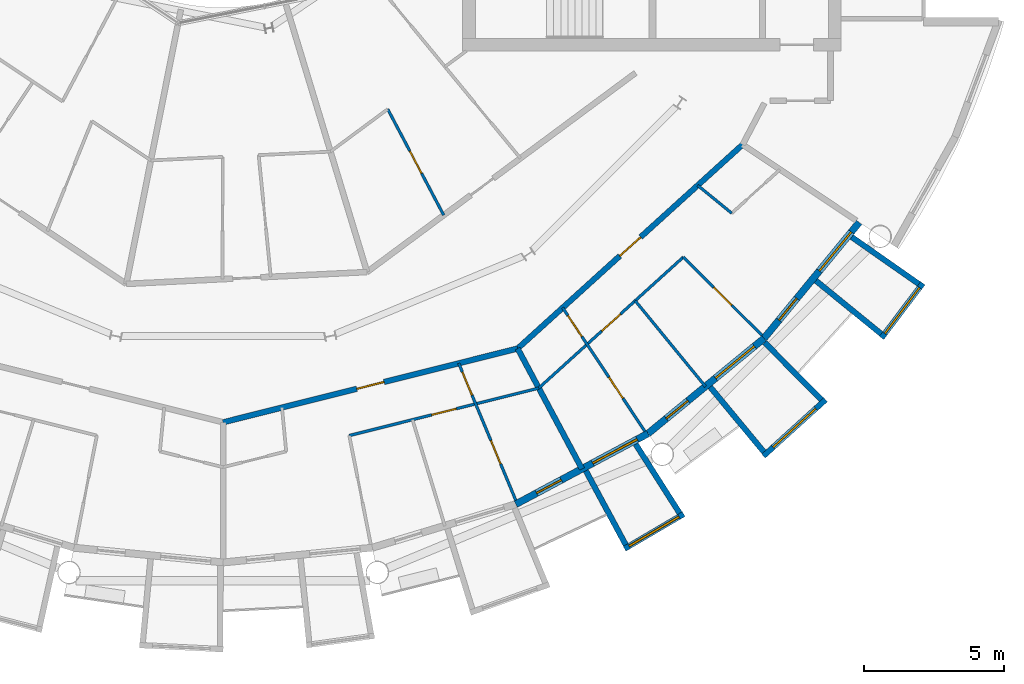
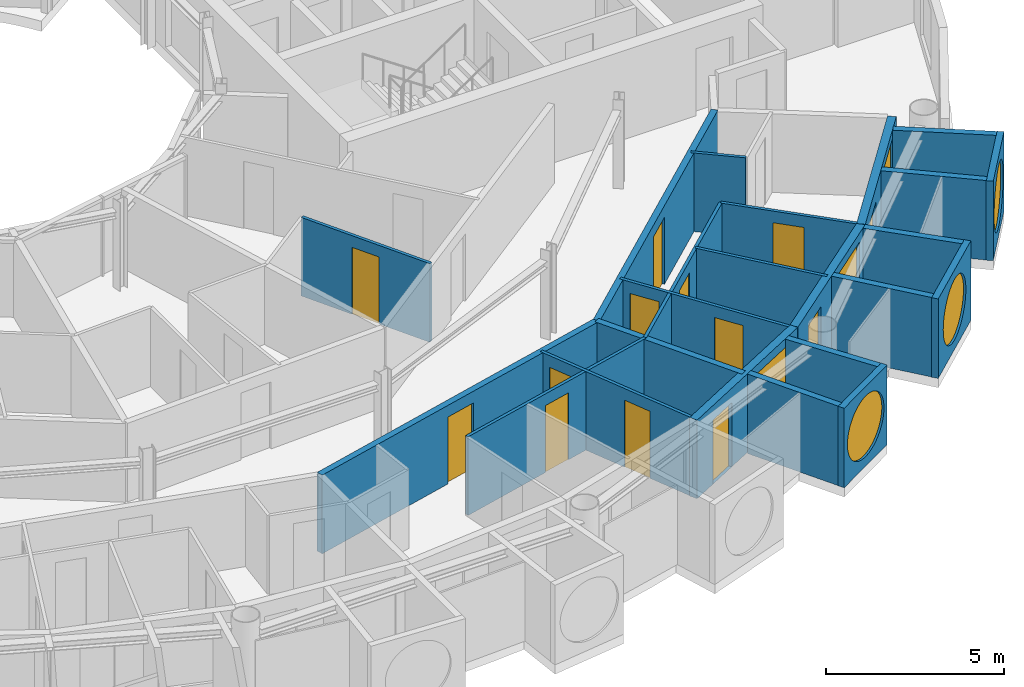
# One storey, part 18 of 29: 23 walls, 13 doors, 6 windows, 19 openings.
"""IFC4 building model written with IfcOpenShell, lengths in metres."""

from ifc_helpers import new_model, si_unit, direction, frame, frame_2d, origin, place, context, subcontext, project, spatial, rectangle, circle, extrude, material, layer, layer_set, type_object, element, fill, save


model = new_model("IFC4")

# Units and contexts
model_context = context("Model", 3, precision=1e-05, world=origin(), true_north=direction((0.0, 1.0)))
body_context = subcontext(model_context, "Body", "Model", "MODEL_VIEW")
ifc_project = project(units=[si_unit("LENGTHUNIT", "METRE"), si_unit("AREAUNIT", "SQUARE_METRE"), si_unit("VOLUMEUNIT", "CUBIC_METRE"), si_unit("PLANEANGLEUNIT", "RADIAN"), si_unit("MASSUNIT", "GRAM", prefix="KILO")], contexts=[model_context])

# Site, building, storey
site_placement = place(None, origin())
site = spatial("IfcSite", under=ifc_project, at=site_placement, CompositionType="ELEMENT")
building_placement = place(site_placement, origin())
building = spatial("IfcBuilding", under=site, at=building_placement, Name="Maasbend Ring Residences", CompositionType="ELEMENT")
storey_placement = place(building_placement, frame((0.0, 0.0, 190.199951171875)))
storey = spatial("IfcBuildingStorey", under=building, at=storey_placement, Name="L54", CompositionType="ELEMENT", Elevation=190.199951171875)

# Wall, opening, door
ifc_material_1 = material(Name="Concrete C30/37", Category="concrete")
ifc_layer_1 = layer(ifc_material_1, 0.199951171875)
ifc_layer_set_1 = layer_set([ifc_layer_1], Name="Concrete C30/37")
wall_type_1 = type_object("IfcWallType", Name="CORRIDOR WALL 200 CONCRETE", PredefinedType="PARTITIONING", material=ifc_layer_set_1)
wall_1_placement = place(storey_placement, frame((-0.0048828125, -22.301025390625, 0.0), z_axis=(0.0, 0.0, 1.0), x_axis=(0.970023226325, 0.243012222716, 0.0)))
wall_1 = element("IfcWall", 1, at=wall_1_placement, inside=storey, type_object=wall_type_1, Name="U-L54-w015", PredefinedType="PARTITIONING", context=body_context, shape_type="SweptSolid", body=[
    extrude(rectangle(XDim=10.84716796875, YDim=0.199951171875, at=frame_2d((5.423583984375, 0.0))), origin(), (0.0, 0.0, 1.0), 2.699951171875),
])
opening_1_placement = place(wall_1_placement, frame((4.924072265625, 0.0, 0.0)))
opening_1 = element("IfcOpeningElement", 2, at=opening_1_placement, cuts=wall_1, Name="Opening D-5448", PredefinedType="OPENING", context=body_context, shape_type="SweptSolid", body=[
    extrude(rectangle(XDim=1.0, YDim=2.300048828125, at=frame_2d((0.5, 1.14990234375))), frame((0.0, 0.10986328125, 0.0), z_axis=(0.0, -1.0, 0.0), x_axis=(1.0, 0.0, 0.0)), (0.0, 0.0, 1.0), 0.219970703125),
])
ifc_material_2 = material(Name="Timber, fire-rated, painted", Category="wood")
door_type_1 = type_object("IfcDoorType", Name="FLAT ENTRANCE DOOR 1000 X 2300 FIRE-RATED", OperationType="NOTDEFINED", PredefinedType="DOOR", material=ifc_material_2)
door_1_placement = place(opening_1_placement, origin())
door_1 = element("IfcDoor", 3, at=door_1_placement, inside=storey, type_object=door_type_1, Name="D-5448", OperationType="SINGLE_SWING_RIGHT", OverallHeight=2.300048828125, OverallWidth=1.0, PredefinedType="DOOR", context=body_context, shape_type="SweptSolid", body=[
    extrude(rectangle(XDim=1.0, YDim=2.300048828125, at=frame_2d((0.5, 1.14990234375))), frame((0.0, 0.02490234375, 0.0), z_axis=(0.0, -1.0, 0.0), x_axis=(1.0, 0.0, 0.0)), (0.0, 0.0, 1.0), 0.050048828125),
])
fill(opening_1, door_1)

wall_2_placement = place(storey_placement, frame((10.510009765625, -19.6689453125, 0.0), z_axis=(0.0, 0.0, 1.0), x_axis=(0.74093897184, 0.671572363941, 0.0)))
wall_2 = element("IfcWall", 4, at=wall_2_placement, inside=storey, type_object=wall_type_1, Name="U-L54-w016", PredefinedType="PARTITIONING", context=body_context, shape_type="SweptSolid", body=[
    extrude(rectangle(XDim=10.84033203125, YDim=0.199951171875, at=frame_2d((5.420166015625, 0.0))), origin(), (0.0, 0.0, 1.0), 2.699951171875),
])
opening_2_placement = place(wall_2_placement, frame((4.922119140625, 0.0, 0.0)))
opening_2 = element("IfcOpeningElement", 5, at=opening_2_placement, cuts=wall_2, Name="Opening D-5454", PredefinedType="OPENING", context=body_context, shape_type="SweptSolid", body=[
    extrude(rectangle(XDim=1.0, YDim=2.300048828125, at=frame_2d((0.5, 1.14990234375))), frame((0.0, 0.10986328125, 0.0), z_axis=(0.0, -1.0, 0.0), x_axis=(1.0, 0.0, 0.0)), (0.0, 0.0, 1.0), 0.219970703125),
])
door_2_placement = place(opening_2_placement, origin())
door_2 = element("IfcDoor", 6, at=door_2_placement, inside=storey, type_object=door_type_1, Name="D-5454", OperationType="SINGLE_SWING_RIGHT", OverallHeight=2.300048828125, OverallWidth=1.0, PredefinedType="DOOR", context=body_context, shape_type="SweptSolid", body=[
    extrude(rectangle(XDim=1.0, YDim=2.300048828125, at=frame_2d((0.5, 1.14990234375))), frame((0.0, 0.02490234375, 0.0), z_axis=(0.0, -1.0, 0.0), x_axis=(1.0, 0.0, 0.0)), (0.0, 0.0, 1.0), 0.050048828125),
])
fill(opening_2, door_2)

# Wall, opening, window
ifc_material_3 = material(Name="Pale anodised aluminium panel", Category="aluminium")
ifc_layer_2 = layer(ifc_material_3, 0.199951171875)
ifc_layer_set_2 = layer_set([ifc_layer_2], Name="EW-BOX")
wall_type_2 = type_object("IfcWallType", Name="EW-BOX", PredefinedType="SOLIDWALL", material=ifc_layer_set_2)
wall_3_placement = place(storey_placement, frame((14.326904296875, -26.81201171875, -0.030029296875), z_axis=(0.0, 0.0, 1.0), x_axis=(0.862403467503, 0.506221551535, 0.0)))
wall_3 = element("IfcWall", 7, at=wall_3_placement, inside=storey, type_object=wall_type_2, Name="Box front S16", PredefinedType="SOLIDWALL", context=body_context, shape_type="SweptSolid", body=[
    extrude(rectangle(XDim=2.445556640625, YDim=0.199951171875, at=frame_2d((1.22265625, 0.0))), origin(), (0.0, 0.0, 1.0), 2.72998046875),
])
opening_3_placement = place(wall_3_placement, frame((0.182861328125, 0.0, 0.330078125)))
opening_3 = element("IfcOpeningElement", 8, at=opening_3_placement, cuts=wall_3, Name="Opening W-RD", PredefinedType="OPENING", context=body_context, shape_type="SweptSolid", body=[
    extrude(circle(Radius=1.0400390625, at=frame_2d((1.0400390625, 1.0400390625))), frame((0.0, 0.10986328125, 0.0), z_axis=(0.0, -1.0, 0.0), x_axis=(1.0, 0.0, 0.0)), (0.0, 0.0, 1.0), 0.219970703125),
])
ifc_material_4 = material(Name="Aluminium and clear glass", Category="aluminium")
window_type_1 = type_object("IfcWindowType", Name="W-RD", PartitioningType="SINGLE_PANEL", PredefinedType="WINDOW", material=ifc_material_4)
window_1_placement = place(opening_3_placement, origin())
window_1 = element("IfcWindow", 9, at=window_1_placement, inside=storey, type_object=window_type_1, Name="Round window S16", OverallHeight=2.080078125, OverallWidth=2.080078125, PartitioningType="SINGLE_PANEL", PredefinedType="WINDOW", context=body_context, shape_type="SweptSolid", body=[
    extrude(circle(Radius=1.0400390625, at=frame_2d((1.0400390625, 1.0400390625))), frame((0.0, 0.030029296875, 0.0), z_axis=(0.0, -1.0, 0.0), x_axis=(1.0, 0.0, 0.0)), (0.0, 0.0, 1.0), 0.06005859375),
])
fill(opening_3, window_1)

# Walls
wall_4_placement = place(storey_placement, frame((12.945068359375, -24.029052734375, -0.030029296875), z_axis=(0.0, 0.0, 1.0), x_axis=(0.474424310775, -0.88029629861, 0.0)))
element("IfcWall", 10, at=wall_4_placement, inside=storey, type_object=wall_type_2, Name="Box side wall S16 left", PredefinedType="SOLIDWALL", context=body_context, shape_type="SweptSolid", body=[
    extrude(rectangle(XDim=3.005859375, YDim=0.199951171875, at=frame_2d((1.5029296875, 0.0))), origin(), (0.0, 0.0, 1.0), 2.72998046875),
])
wall_5_placement = place(storey_placement, frame((14.721923828125, -23.0791015625, -0.030029296875), z_axis=(0.0, 0.0, 1.0), x_axis=(0.537572179146, -0.843217737129, 0.0)))
element("IfcWall", 11, at=wall_5_placement, inside=storey, type_object=wall_type_2, Name="Box side wall S16 right", PredefinedType="SOLIDWALL", context=body_context, shape_type="SweptSolid", body=[
    extrude(rectangle(XDim=2.92431640625, YDim=0.199951171875, at=frame_2d((1.462158203125, 0.0))), origin(), (0.0, 0.0, 1.0), 2.72998046875),
])

# Wall, opening, window
wall_6_placement = place(storey_placement, frame((19.281982421875, -23.5029296875, -0.030029296875), z_axis=(0.0, 0.0, 1.0), x_axis=(0.740998365753, 0.671506829416, 0.0)))
wall_6 = element("IfcWall", 12, at=wall_6_placement, inside=storey, type_object=wall_type_2, Name="Box front S18", PredefinedType="SOLIDWALL", context=body_context, shape_type="SweptSolid", body=[
    extrude(rectangle(XDim=2.9931640625, YDim=0.199951171875, at=frame_2d((1.49658203125, 0.0))), origin(), (0.0, 0.0, 1.0), 2.72998046875),
])
opening_4_placement = place(wall_6_placement, frame((0.45654296875, 0.0, 0.330078125)))
opening_4 = element("IfcOpeningElement", 13, at=opening_4_placement, cuts=wall_6, Name="Opening W-RD", PredefinedType="OPENING", context=body_context, shape_type="SweptSolid", body=[
    extrude(circle(Radius=1.0400390625, at=frame_2d((1.0400390625, 1.0400390625))), frame((0.0, 0.10986328125, 0.0), z_axis=(0.0, -1.0, 0.0), x_axis=(1.0, 0.0, 0.0)), (0.0, 0.0, 1.0), 0.219970703125),
])
window_2_placement = place(opening_4_placement, origin())
window_2 = element("IfcWindow", 14, at=window_2_placement, inside=storey, type_object=window_type_1, Name="Round window S18", OverallHeight=2.080078125, OverallWidth=2.080078125, PartitioningType="SINGLE_PANEL", PredefinedType="WINDOW", context=body_context, shape_type="SweptSolid", body=[
    extrude(circle(Radius=1.0400390625, at=frame_2d((1.0400390625, 1.0400390625))), frame((0.0, 0.030029296875, 0.0), z_axis=(0.0, -1.0, 0.0), x_axis=(1.0, 0.0, 0.0)), (0.0, 0.0, 1.0), 0.06005859375),
])
fill(opening_4, window_2)

# Walls
wall_7_placement = place(storey_placement, frame((17.384033203125, -21.041015625, -0.030029296875), z_axis=(0.0, 0.0, 1.0), x_axis=(0.63709551667, -0.770784861449, 0.0)))
element("IfcWall", 15, at=wall_7_placement, inside=storey, type_object=wall_type_2, Name="Box side wall S18 left", PredefinedType="SOLIDWALL", context=body_context, shape_type="SweptSolid", body=[
    extrude(rectangle(XDim=3.005859375, YDim=0.199951171875, at=frame_2d((1.5029296875, 0.0))), origin(), (0.0, 0.0, 1.0), 2.72998046875),
])
wall_8_placement = place(storey_placement, frame((19.322998046875, -19.449951171875, -0.030029296875), z_axis=(0.0, 0.0, 1.0), x_axis=(0.704476739375, -0.709727076896, 0.0)))
element("IfcWall", 16, at=wall_8_placement, inside=storey, type_object=wall_type_2, Name="Box side wall S18 right", PredefinedType="SOLIDWALL", context=body_context, shape_type="SweptSolid", body=[
    extrude(rectangle(XDim=2.883056640625, YDim=0.199951171875, at=frame_2d((1.44140625, 0.0))), origin(), (0.0, 0.0, 1.0), 2.72998046875),
])

# Wall, opening, window
wall_9_placement = place(storey_placement, frame((23.4970703125, -19.2890625, -0.030029296875), z_axis=(0.0, 0.0, 1.0), x_axis=(0.602806268067, 0.797887588059, 0.0)))
wall_9 = element("IfcWall", 17, at=wall_9_placement, inside=storey, type_object=wall_type_2, Name="Box front S20", PredefinedType="SOLIDWALL", context=body_context, shape_type="SweptSolid", body=[
    extrude(rectangle(XDim=2.446533203125, YDim=0.199951171875, at=frame_2d((1.22314453125, 0.0))), origin(), (0.0, 0.0, 1.0), 2.72998046875),
])
opening_5_placement = place(wall_9_placement, frame((0.182861328125, 0.0, 0.330078125)))
opening_5 = element("IfcOpeningElement", 18, at=opening_5_placement, cuts=wall_9, Name="Opening W-RD", PredefinedType="OPENING", context=body_context, shape_type="SweptSolid", body=[
    extrude(circle(Radius=1.0400390625, at=frame_2d((1.0400390625, 1.0400390625))), frame((0.0, 0.10986328125, 0.0), z_axis=(0.0, -1.0, 0.0), x_axis=(1.0, 0.0, 0.0)), (0.0, 0.0, 1.0), 0.219970703125),
])
window_3_placement = place(opening_5_placement, origin())
window_3 = element("IfcWindow", 19, at=window_3_placement, inside=storey, type_object=window_type_1, Name="Round window S20", OverallHeight=2.080078125, OverallWidth=2.080078125, PartitioningType="SINGLE_PANEL", PredefinedType="WINDOW", context=body_context, shape_type="SweptSolid", body=[
    extrude(circle(Radius=1.0400390625, at=frame_2d((1.0400390625, 1.0400390625))), frame((0.0, 0.030029296875, 0.0), z_axis=(0.0, -1.0, 0.0), x_axis=(1.0, 0.0, 0.0)), (0.0, 0.0, 1.0), 0.06005859375),
])
fill(opening_5, window_3)

# Walls
wall_10_placement = place(storey_placement, frame((21.155029296875, -17.24609375, -0.030029296875), z_axis=(0.0, 0.0, 1.0), x_axis=(0.775179004516, -0.631741648902, 0.0)))
element("IfcWall", 20, at=wall_10_placement, inside=storey, type_object=wall_type_2, Name="Box side wall S20 left", PredefinedType="SOLIDWALL", context=body_context, shape_type="SweptSolid", body=[
    extrude(rectangle(XDim=3.005859375, YDim=0.199951171875, at=frame_2d((1.5029296875, 0.0))), origin(), (0.0, 0.0, 1.0), 2.72998046875),
])
wall_11_placement = place(storey_placement, frame((22.43310546875, -15.68798828125, -0.030029296875), z_axis=(0.0, 0.0, 1.0), x_axis=(0.819373043115, -0.573260687834, 0.0)))
element("IfcWall", 21, at=wall_11_placement, inside=storey, type_object=wall_type_2, Name="Box side wall S20 right", PredefinedType="SOLIDWALL", context=body_context, shape_type="SweptSolid", body=[
    extrude(rectangle(XDim=2.92529296875, YDim=0.199951171875, at=frame_2d((1.462646484375, 0.0))), origin(), (0.0, 0.0, 1.0), 2.72998046875),
])

# Wall, openings, door, window
ifc_material_5 = material(Name="Aluminium clad insulated panel", Category="aluminium")
ifc_layer_3 = layer(ifc_material_5, 0.25)
ifc_layer_set_3 = layer_set([ifc_layer_3], Name="EW-GL")
wall_type_3 = type_object("IfcWallType", Name="EW-GL", PredefinedType="SOLIDWALL", material=ifc_layer_set_3)
wall_12_placement = place(storey_placement, frame((10.447021484375, -25.221923828125, 0.0), z_axis=(0.0, 0.0, 1.0), x_axis=(0.881915646801, 0.471407246368, 0.0)))
wall_12 = element("IfcWall", 22, at=wall_12_placement, inside=storey, type_object=wall_type_3, Name="External wall S08", PredefinedType="SOLIDWALL", context=body_context, shape_type="SweptSolid", body=[
    extrude(rectangle(XDim=5.35205078125, YDim=0.25, at=frame_2d((2.676025390625, 0.0))), origin(), (0.0, 0.0, 1.0), 2.699951171875),
])
opening_6_placement = place(wall_12_placement, frame((0.841064453125, 0.0, 0.0)))
opening_6 = element("IfcOpeningElement", 23, at=opening_6_placement, cuts=wall_12, Name="Opening D-LG", PredefinedType="OPENING", context=body_context, shape_type="SweptSolid", body=[
    extrude(rectangle(XDim=1.0, YDim=2.199951171875, at=frame_2d((0.5, 1.10009765625))), frame((0.0, 0.135009765625, 0.0), z_axis=(0.0, -1.0, 0.0), x_axis=(1.0, 0.0, 0.0)), (0.0, 0.0, 1.0), 0.27001953125),
])
opening_7_placement = place(wall_12_placement, frame((3.110595703125, 0.0, 0.300048828125)))
opening_7 = element("IfcOpeningElement", 24, at=opening_7_placement, cuts=wall_12, Name="Opening W-BX", PredefinedType="OPENING", context=body_context, shape_type="SweptSolid", body=[
    extrude(rectangle(XDim=1.800048828125, YDim=2.10009765625, at=frame_2d((0.89990234375, 1.050048828125))), frame((0.0, 0.135009765625, 0.0), z_axis=(0.0, -1.0, 0.0), x_axis=(1.0, 0.0, 0.0)), (0.0, 0.0, 1.0), 0.27001953125),
])
ifc_material_6 = material(Name="Aluminium and clear glass", Category="aluminium")
door_type_2 = type_object("IfcDoorType", Name="D-LG", OperationType="SINGLE_SWING_LEFT", PredefinedType="DOOR", material=ifc_material_6)
door_3_placement = place(opening_6_placement, origin())
door_3 = element("IfcDoor", 25, at=door_3_placement, inside=storey, type_object=door_type_2, Name="Loggia door S15", OperationType="SINGLE_SWING_LEFT", OverallHeight=2.199951171875, OverallWidth=1.0, PredefinedType="DOOR", context=body_context, shape_type="SweptSolid", body=[
    extrude(rectangle(XDim=1.0, YDim=2.199951171875, at=frame_2d((0.5, 1.10009765625))), frame((0.0, 0.02490234375, 0.0), z_axis=(0.0, -1.0, 0.0), x_axis=(1.0, 0.0, 0.0)), (0.0, 0.0, 1.0), 0.050048828125),
])
fill(opening_6, door_3)
ifc_material_7 = material(Name="Aluminium and clear glass", Category="aluminium")
window_type_2 = type_object("IfcWindowType", Name="W-BX", PartitioningType="DOUBLE_PANEL_VERTICAL", PredefinedType="WINDOW", material=ifc_material_7)
window_4_placement = place(opening_7_placement, origin())
window_4 = element("IfcWindow", 26, at=window_4_placement, inside=storey, type_object=window_type_2, Name="Window S16 room to box", OverallHeight=2.10009765625, OverallWidth=1.800048828125, PartitioningType="SINGLE_PANEL", PredefinedType="WINDOW", context=body_context, shape_type="SweptSolid", body=[
    extrude(rectangle(XDim=1.800048828125, YDim=2.10009765625, at=frame_2d((0.89990234375, 1.050048828125))), frame((0.0, 0.030029296875, 0.0), z_axis=(0.0, -1.0, 0.0), x_axis=(1.0, 0.0, 0.0)), (0.0, 0.0, 1.0), 0.06005859375),
])
fill(opening_7, window_4)

wall_13_placement = place(storey_placement, frame((15.1669921875, -22.698974609375, 0.0), z_axis=(0.0, 0.0, 1.0), x_axis=(0.773019449054, 0.634382322723, 0.0)))
wall_13 = element("IfcWall", 27, at=wall_13_placement, inside=storey, type_object=wall_type_3, Name="External wall S09", PredefinedType="SOLIDWALL", context=body_context, shape_type="SweptSolid", body=[
    extrude(rectangle(XDim=5.351806640625, YDim=0.25, at=frame_2d((2.67578125, 0.0))), origin(), (0.0, 0.0, 1.0), 2.699951171875),
])
opening_8_placement = place(wall_13_placement, frame((0.841064453125, 0.0, 0.0)))
opening_8 = element("IfcOpeningElement", 28, at=opening_8_placement, cuts=wall_13, Name="Opening D-LG", PredefinedType="OPENING", context=body_context, shape_type="SweptSolid", body=[
    extrude(rectangle(XDim=1.0, YDim=2.199951171875, at=frame_2d((0.5, 1.10009765625))), frame((0.0, 0.135009765625, 0.0), z_axis=(0.0, -1.0, 0.0), x_axis=(1.0, 0.0, 0.0)), (0.0, 0.0, 1.0), 0.27001953125),
])
opening_9_placement = place(wall_13_placement, frame((3.110595703125, 0.0, 0.300048828125)))
opening_9 = element("IfcOpeningElement", 29, at=opening_9_placement, cuts=wall_13, Name="Opening W-BX", PredefinedType="OPENING", context=body_context, shape_type="SweptSolid", body=[
    extrude(rectangle(XDim=1.800048828125, YDim=2.10009765625, at=frame_2d((0.89990234375, 1.050048828125))), frame((0.0, 0.135009765625, 0.0), z_axis=(0.0, -1.0, 0.0), x_axis=(1.0, 0.0, 0.0)), (0.0, 0.0, 1.0), 0.27001953125),
])
door_4_placement = place(opening_8_placement, origin())
door_4 = element("IfcDoor", 30, at=door_4_placement, inside=storey, type_object=door_type_2, Name="Loggia door S17", OperationType="SINGLE_SWING_LEFT", OverallHeight=2.199951171875, OverallWidth=1.0, PredefinedType="DOOR", context=body_context, shape_type="SweptSolid", body=[
    extrude(rectangle(XDim=1.0, YDim=2.199951171875, at=frame_2d((0.5, 1.10009765625))), frame((0.0, 0.02490234375, 0.0), z_axis=(0.0, -1.0, 0.0), x_axis=(1.0, 0.0, 0.0)), (0.0, 0.0, 1.0), 0.050048828125),
])
fill(opening_8, door_4)
window_5_placement = place(opening_9_placement, origin())
window_5 = element("IfcWindow", 31, at=window_5_placement, inside=storey, type_object=window_type_2, Name="Window S18 room to box", OverallHeight=2.10009765625, OverallWidth=1.800048828125, PartitioningType="SINGLE_PANEL", PredefinedType="WINDOW", context=body_context, shape_type="SweptSolid", body=[
    extrude(rectangle(XDim=1.800048828125, YDim=2.10009765625, at=frame_2d((0.89990234375, 1.050048828125))), frame((0.0, 0.030029296875, 0.0), z_axis=(0.0, -1.0, 0.0), x_axis=(1.0, 0.0, 0.0)), (0.0, 0.0, 1.0), 0.06005859375),
])
fill(opening_9, window_5)

wall_14_placement = place(storey_placement, frame((19.303955078125, -19.303955078125, 0.0), z_axis=(0.0, 0.0, 1.0), x_axis=(0.634382322723, 0.773019449054, 0.0)))
wall_14 = element("IfcWall", 32, at=wall_14_placement, inside=storey, type_object=wall_type_3, Name="External wall S10", PredefinedType="SOLIDWALL", context=body_context, shape_type="SweptSolid", body=[
    extrude(rectangle(XDim=5.351806640625, YDim=0.25, at=frame_2d((2.67578125, 0.0))), origin(), (0.0, 0.0, 1.0), 2.699951171875),
])
opening_10_placement = place(wall_14_placement, frame((0.841064453125, 0.0, 0.0)))
opening_10 = element("IfcOpeningElement", 33, at=opening_10_placement, cuts=wall_14, Name="Opening D-LG", PredefinedType="OPENING", context=body_context, shape_type="SweptSolid", body=[
    extrude(rectangle(XDim=1.0, YDim=2.199951171875, at=frame_2d((0.5, 1.10009765625))), frame((0.0, 0.135009765625, 0.0), z_axis=(0.0, -1.0, 0.0), x_axis=(1.0, 0.0, 0.0)), (0.0, 0.0, 1.0), 0.27001953125),
])
opening_11_placement = place(wall_14_placement, frame((3.110595703125, 0.0, 0.300048828125)))
opening_11 = element("IfcOpeningElement", 34, at=opening_11_placement, cuts=wall_14, Name="Opening W-BX", PredefinedType="OPENING", context=body_context, shape_type="SweptSolid", body=[
    extrude(rectangle(XDim=1.800048828125, YDim=2.10009765625, at=frame_2d((0.89990234375, 1.050048828125))), frame((0.0, 0.135009765625, 0.0), z_axis=(0.0, -1.0, 0.0), x_axis=(1.0, 0.0, 0.0)), (0.0, 0.0, 1.0), 0.27001953125),
])
door_5_placement = place(opening_10_placement, origin())
door_5 = element("IfcDoor", 35, at=door_5_placement, inside=storey, type_object=door_type_2, Name="Loggia door S19", OperationType="SINGLE_SWING_LEFT", OverallHeight=2.199951171875, OverallWidth=1.0, PredefinedType="DOOR", context=body_context, shape_type="SweptSolid", body=[
    extrude(rectangle(XDim=1.0, YDim=2.199951171875, at=frame_2d((0.5, 1.10009765625))), frame((0.0, 0.02490234375, 0.0), z_axis=(0.0, -1.0, 0.0), x_axis=(1.0, 0.0, 0.0)), (0.0, 0.0, 1.0), 0.050048828125),
])
fill(opening_10, door_5)
window_6_placement = place(opening_11_placement, origin())
window_6 = element("IfcWindow", 36, at=window_6_placement, inside=storey, type_object=window_type_2, Name="Window S20 room to box", OverallHeight=2.10009765625, OverallWidth=1.800048828125, PartitioningType="SINGLE_PANEL", PredefinedType="WINDOW", context=body_context, shape_type="SweptSolid", body=[
    extrude(rectangle(XDim=1.800048828125, YDim=2.10009765625, at=frame_2d((0.89990234375, 1.050048828125))), frame((0.0, 0.030029296875, 0.0), z_axis=(0.0, -1.0, 0.0), x_axis=(1.0, 0.0, 0.0)), (0.0, 0.0, 1.0), 0.06005859375),
])
fill(opening_11, window_6)

# Wall, opening, door
ifc_material_8 = material(Name="Gypsum board on steel studs", Category="steel")
ifc_layer_4 = layer(ifc_material_8, 0.10009765625)
ifc_layer_set_4 = layer_set([ifc_layer_4], Name="PARTITION 100 GYPSUM")
wall_type_4 = type_object("IfcWallType", Name="PARTITION 100 GYPSUM", PredefinedType="PARTITIONING", material=ifc_layer_set_4)
wall_15_placement = place(storey_placement, frame((4.501953125, -22.77294921875, 0.0), z_axis=(0.0, 0.0, 1.0), x_axis=(0.970080680347, 0.24278277043, 0.0)))
wall_15 = element("IfcWall", 37, at=wall_15_placement, inside=storey, type_object=wall_type_4, Name="U-L54-w006", PredefinedType="PARTITIONING", context=body_context, shape_type="SweptSolid", body=[
    extrude(rectangle(XDim=6.972900390625, YDim=0.10009765625, at=frame_2d((3.486328125, 0.0))), origin(), (0.0, 0.0, 1.0), 2.699951171875),
])
opening_12_placement = place(wall_15_placement, frame((3.037109375, 0.0, 0.0)))
opening_12 = element("IfcOpeningElement", 38, at=opening_12_placement, cuts=wall_15, Name="Opening D-5452", PredefinedType="OPENING", context=body_context, shape_type="SweptSolid", body=[
    extrude(rectangle(XDim=0.89990234375, YDim=2.300048828125, at=frame_2d((0.449951171875, 1.14990234375))), frame((0.0, 0.06005859375, 0.0), z_axis=(0.0, -1.0, 0.0), x_axis=(1.0, 0.0, 0.0)), (0.0, 0.0, 1.0), 0.1201171875),
])
ifc_material_9 = material(Name="Timber, painted", Category="wood")
door_type_3 = type_object("IfcDoorType", Name="INTERNAL DOOR 900 X 2300", OperationType="NOTDEFINED", PredefinedType="DOOR", material=ifc_material_9)
door_6_placement = place(opening_12_placement, origin())
door_6 = element("IfcDoor", 39, at=door_6_placement, inside=storey, type_object=door_type_3, Name="D-5452", OperationType="SINGLE_SWING_RIGHT", OverallHeight=2.300048828125, OverallWidth=0.89990234375, PredefinedType="DOOR", context=body_context, shape_type="SweptSolid", body=[
    extrude(rectangle(XDim=0.89990234375, YDim=2.300048828125, at=frame_2d((0.449951171875, 1.14990234375))), frame((0.0, 0.02490234375, 0.0), z_axis=(0.0, -1.0, 0.0), x_axis=(1.0, 0.0, 0.0)), (0.0, 0.0, 1.0), 0.050048828125),
])
fill(opening_12, door_6)

wall_16_placement = place(storey_placement, frame((11.26611328125, -21.077880859375, 0.0), z_axis=(0.0, 0.0, 1.0), x_axis=(0.741084540886, 0.671411724101, 0.0)))
wall_16 = element("IfcWall", 40, at=wall_16_placement, inside=storey, type_object=wall_type_4, Name="U-L54-w007", PredefinedType="PARTITIONING", context=body_context, shape_type="SweptSolid", body=[
    extrude(rectangle(XDim=6.962646484375, YDim=0.10009765625, at=frame_2d((3.4814453125, 0.0))), origin(), (0.0, 0.0, 1.0), 2.699951171875),
])
opening_13_placement = place(wall_16_placement, frame((3.034912109375, 0.0, 0.0)))
opening_13 = element("IfcOpeningElement", 41, at=opening_13_placement, cuts=wall_16, Name="Opening D-5458", PredefinedType="OPENING", context=body_context, shape_type="SweptSolid", body=[
    extrude(rectangle(XDim=0.89990234375, YDim=2.300048828125, at=frame_2d((0.449951171875, 1.14990234375))), frame((0.0, 0.06005859375, 0.0), z_axis=(0.0, -1.0, 0.0), x_axis=(1.0, 0.0, 0.0)), (0.0, 0.0, 1.0), 0.1201171875),
])
door_7_placement = place(opening_13_placement, origin())
door_7 = element("IfcDoor", 42, at=door_7_placement, inside=storey, type_object=door_type_3, Name="D-5458", OperationType="SINGLE_SWING_RIGHT", OverallHeight=2.300048828125, OverallWidth=0.89990234375, PredefinedType="DOOR", context=body_context, shape_type="SweptSolid", body=[
    extrude(rectangle(XDim=0.89990234375, YDim=2.300048828125, at=frame_2d((0.449951171875, 1.14990234375))), frame((0.0, 0.02490234375, 0.0), z_axis=(0.0, -1.0, 0.0), x_axis=(1.0, 0.0, 0.0)), (0.0, 0.0, 1.0), 0.050048828125),
])
fill(opening_13, door_7)

wall_17_placement = place(storey_placement, frame((5.8759765625, -11.1259765625, 0.0), z_axis=(0.0, 0.0, 1.0), x_axis=(0.467030118529, -0.884241408432, 0.0)))
wall_17 = element("IfcWall", 43, at=wall_17_placement, inside=storey, type_object=wall_type_4, Name="U-L54-w074", PredefinedType="PARTITIONING", context=body_context, shape_type="SweptSolid", body=[
    extrude(rectangle(XDim=4.278076171875, YDim=0.10009765625, at=frame_2d((2.13916015625, 0.0))), origin(), (0.0, 0.0, 1.0), 2.699951171875),
])
opening_14_placement = place(wall_17_placement, frame((1.68896484375, 0.0, 0.0)))
opening_14 = element("IfcOpeningElement", 44, at=opening_14_placement, cuts=wall_17, Name="Opening D-5468", PredefinedType="OPENING", context=body_context, shape_type="SweptSolid", body=[
    extrude(rectangle(XDim=0.89990234375, YDim=2.300048828125, at=frame_2d((0.449951171875, 1.14990234375))), frame((0.0, 0.06005859375, 0.0), z_axis=(0.0, -1.0, 0.0), x_axis=(1.0, 0.0, 0.0)), (0.0, 0.0, 1.0), 0.1201171875),
])
door_8_placement = place(opening_14_placement, origin())
door_8 = element("IfcDoor", 45, at=door_8_placement, inside=storey, type_object=door_type_3, Name="D-5468", OperationType="SINGLE_SWING_LEFT", OverallHeight=2.300048828125, OverallWidth=0.89990234375, PredefinedType="DOOR", context=body_context, shape_type="SweptSolid", body=[
    extrude(rectangle(XDim=0.89990234375, YDim=2.300048828125, at=frame_2d((0.449951171875, 1.14990234375))), frame((0.0, 0.02490234375, 0.0), z_axis=(0.0, -1.0, 0.0), x_axis=(1.0, 0.0, 0.0)), (0.0, 0.0, 1.0), 0.050048828125),
])
fill(opening_14, door_8)

# Wall, openings, doors
wall_18_placement = place(storey_placement, frame((8.409912109375, -20.193115234375, 0.0), z_axis=(0.0, 0.0, 1.0), x_axis=(0.384363513821, -0.923181828917, 0.0)))
wall_18 = element("IfcWall", 46, at=wall_18_placement, inside=storey, type_object=wall_type_4, Name="U-L54-w078", PredefinedType="PARTITIONING", context=body_context, shape_type="SweptSolid", body=[
    extrude(rectangle(XDim=5.300048828125, YDim=0.10009765625, at=frame_2d((2.64990234375, 0.0))), origin(), (0.0, 0.0, 1.0), 2.699951171875),
])
opening_15_placement = place(wall_18_placement, frame((0.3349609375, 0.0, 0.0)))
opening_15 = element("IfcOpeningElement", 47, at=opening_15_placement, cuts=wall_18, Name="Opening D-5450", PredefinedType="OPENING", context=body_context, shape_type="SweptSolid", body=[
    extrude(rectangle(XDim=0.89990234375, YDim=2.300048828125, at=frame_2d((0.449951171875, 1.14990234375))), frame((0.0, 0.06005859375, 0.0), z_axis=(0.0, -1.0, 0.0), x_axis=(1.0, 0.0, 0.0)), (0.0, 0.0, 1.0), 0.1201171875),
])
opening_16_placement = place(wall_18_placement, frame((2.985107421875, 0.0, 0.0)))
opening_16 = element("IfcOpeningElement", 48, at=opening_16_placement, cuts=wall_18, Name="Opening D-5453", PredefinedType="OPENING", context=body_context, shape_type="SweptSolid", body=[
    extrude(rectangle(XDim=0.89990234375, YDim=2.300048828125, at=frame_2d((0.449951171875, 1.14990234375))), frame((0.0, 0.06005859375, 0.0), z_axis=(0.0, -1.0, 0.0), x_axis=(1.0, 0.0, 0.0)), (0.0, 0.0, 1.0), 0.1201171875),
])
door_9_placement = place(opening_15_placement, origin())
door_9 = element("IfcDoor", 49, at=door_9_placement, inside=storey, type_object=door_type_3, Name="D-5450", OperationType="SINGLE_SWING_LEFT", OverallHeight=2.300048828125, OverallWidth=0.89990234375, PredefinedType="DOOR", context=body_context, shape_type="SweptSolid", body=[
    extrude(rectangle(XDim=0.89990234375, YDim=2.300048828125, at=frame_2d((0.449951171875, 1.14990234375))), frame((0.0, 0.02490234375, 0.0), z_axis=(0.0, -1.0, 0.0), x_axis=(1.0, 0.0, 0.0)), (0.0, 0.0, 1.0), 0.050048828125),
])
fill(opening_15, door_9)
door_10_placement = place(opening_16_placement, origin())
door_10 = element("IfcDoor", 50, at=door_10_placement, inside=storey, type_object=door_type_3, Name="D-5453", OperationType="SINGLE_SWING_RIGHT", OverallHeight=2.300048828125, OverallWidth=0.89990234375, PredefinedType="DOOR", context=body_context, shape_type="SweptSolid", body=[
    extrude(rectangle(XDim=0.89990234375, YDim=2.300048828125, at=frame_2d((0.449951171875, 1.14990234375))), frame((0.0, 0.02490234375, 0.0), z_axis=(0.0, -1.0, 0.0), x_axis=(1.0, 0.0, 0.0)), (0.0, 0.0, 1.0), 0.050048828125),
])
fill(opening_16, door_10)

wall_19_placement = place(storey_placement, frame((12.117919921875, -18.2109375, 0.0), z_axis=(0.0, 0.0, 1.0), x_axis=(0.554126060637, -0.832432765407, 0.0)))
wall_19 = element("IfcWall", 51, at=wall_19_placement, inside=storey, type_object=wall_type_4, Name="U-L54-w081", PredefinedType="PARTITIONING", context=body_context, shape_type="SweptSolid", body=[
    extrude(rectangle(XDim=5.30029296875, YDim=0.10009765625, at=frame_2d((2.650146484375, 0.0))), origin(), (0.0, 0.0, 1.0), 2.699951171875),
])
opening_17_placement = place(wall_19_placement, frame((0.3349609375, 0.0, 0.0)))
opening_17 = element("IfcOpeningElement", 52, at=opening_17_placement, cuts=wall_19, Name="Opening D-5456", PredefinedType="OPENING", context=body_context, shape_type="SweptSolid", body=[
    extrude(rectangle(XDim=0.89990234375, YDim=2.300048828125, at=frame_2d((0.449951171875, 1.14990234375))), frame((0.0, 0.06005859375, 0.0), z_axis=(0.0, -1.0, 0.0), x_axis=(1.0, 0.0, 0.0)), (0.0, 0.0, 1.0), 0.1201171875),
])
opening_18_placement = place(wall_19_placement, frame((2.985107421875, 0.0, 0.0)))
opening_18 = element("IfcOpeningElement", 53, at=opening_18_placement, cuts=wall_19, Name="Opening D-5459", PredefinedType="OPENING", context=body_context, shape_type="SweptSolid", body=[
    extrude(rectangle(XDim=0.89990234375, YDim=2.300048828125, at=frame_2d((0.449951171875, 1.14990234375))), frame((0.0, 0.06005859375, 0.0), z_axis=(0.0, -1.0, 0.0), x_axis=(1.0, 0.0, 0.0)), (0.0, 0.0, 1.0), 0.1201171875),
])
door_11_placement = place(opening_17_placement, origin())
door_11 = element("IfcDoor", 54, at=door_11_placement, inside=storey, type_object=door_type_3, Name="D-5456", OperationType="SINGLE_SWING_LEFT", OverallHeight=2.300048828125, OverallWidth=0.89990234375, PredefinedType="DOOR", context=body_context, shape_type="SweptSolid", body=[
    extrude(rectangle(XDim=0.89990234375, YDim=2.300048828125, at=frame_2d((0.449951171875, 1.14990234375))), frame((0.0, 0.02490234375, 0.0), z_axis=(0.0, -1.0, 0.0), x_axis=(1.0, 0.0, 0.0)), (0.0, 0.0, 1.0), 0.050048828125),
])
fill(opening_17, door_11)
door_12_placement = place(opening_18_placement, origin())
door_12 = element("IfcDoor", 55, at=door_12_placement, inside=storey, type_object=door_type_3, Name="D-5459", OperationType="SINGLE_SWING_RIGHT", OverallHeight=2.300048828125, OverallWidth=0.89990234375, PredefinedType="DOOR", context=body_context, shape_type="SweptSolid", body=[
    extrude(rectangle(XDim=0.89990234375, YDim=2.300048828125, at=frame_2d((0.449951171875, 1.14990234375))), frame((0.0, 0.02490234375, 0.0), z_axis=(0.0, -1.0, 0.0), x_axis=(1.0, 0.0, 0.0)), (0.0, 0.0, 1.0), 0.050048828125),
])
fill(opening_18, door_12)

# Wall
wall_20_placement = place(storey_placement, frame((14.7060546875, -17.9609375, 0.0), z_axis=(0.0, 0.0, 1.0), x_axis=(0.633590098448, -0.773668913133, 0.0)))
element("IfcWall", 56, at=wall_20_placement, inside=storey, type_object=wall_type_4, Name="U-L54-w083", PredefinedType="PARTITIONING", context=body_context, shape_type="SweptSolid", body=[
    extrude(rectangle(XDim=3.961669921875, YDim=0.10009765625, at=frame_2d((1.98095703125, 0.0))), origin(), (0.0, 0.0, 1.0), 2.699951171875),
])

# Wall, opening, door
wall_21_placement = place(storey_placement, frame((16.427001953125, -16.40087890625, 0.0), z_axis=(0.0, 0.0, 1.0), x_axis=(0.707722727509, -0.706490297858, 0.0)))
wall_21 = element("IfcWall", 57, at=wall_21_placement, inside=storey, type_object=wall_type_4, Name="U-L54-w085", PredefinedType="PARTITIONING", context=body_context, shape_type="SweptSolid", body=[
    extrude(rectangle(XDim=3.9619140625, YDim=0.10009765625, at=frame_2d((1.98095703125, 0.0))), origin(), (0.0, 0.0, 1.0), 2.699951171875),
])
opening_19_placement = place(wall_21_placement, frame((1.531005859375, 0.0, 0.0)))
opening_19 = element("IfcOpeningElement", 58, at=opening_19_placement, cuts=wall_21, Name="Opening D-5457", PredefinedType="OPENING", context=body_context, shape_type="SweptSolid", body=[
    extrude(rectangle(XDim=0.89990234375, YDim=2.300048828125, at=frame_2d((0.449951171875, 1.14990234375))), frame((0.0, 0.06005859375, 0.0), z_axis=(0.0, -1.0, 0.0), x_axis=(1.0, 0.0, 0.0)), (0.0, 0.0, 1.0), 0.1201171875),
])
door_13_placement = place(opening_19_placement, origin())
door_13 = element("IfcDoor", 59, at=door_13_placement, inside=storey, type_object=door_type_3, Name="D-5457", OperationType="SINGLE_SWING_RIGHT", OverallHeight=2.300048828125, OverallWidth=0.89990234375, PredefinedType="DOOR", context=body_context, shape_type="SweptSolid", body=[
    extrude(rectangle(XDim=0.89990234375, YDim=2.300048828125, at=frame_2d((0.449951171875, 1.14990234375))), frame((0.0, 0.02490234375, 0.0), z_axis=(0.0, -1.0, 0.0), x_axis=(1.0, 0.0, 0.0)), (0.0, 0.0, 1.0), 0.050048828125),
])
fill(opening_19, door_13)

# Walls
wall_22_placement = place(storey_placement, frame((16.93603515625, -13.844970703125, 0.0), z_axis=(0.0, 0.0, 1.0), x_axis=(0.774283039722, -0.632839453889, 0.0)))
element("IfcWall", 60, at=wall_22_placement, inside=storey, type_object=wall_type_4, Name="U-L54-w087", PredefinedType="PARTITIONING", context=body_context, shape_type="SweptSolid", body=[
    extrude(rectangle(XDim=1.569091796875, YDim=0.10009765625, at=frame_2d((0.78466796875, 0.0))), origin(), (0.0, 0.0, 1.0), 2.699951171875),
])
ifc_material_10 = material(Name="Concrete C30/37", Category="concrete")
ifc_layer_5 = layer(ifc_material_10, 0.199951171875)
ifc_layer_set_5 = layer_set([ifc_layer_5], Name="Concrete C30/37")
wall_type_5 = type_object("IfcWallType", Name="PARTY WALL 200 CONCRETE", PredefinedType="PARTITIONING", material=ifc_layer_set_5)
wall_23_placement = place(storey_placement, frame((10.511962890625, -19.6669921875, 0.0), z_axis=(0.0, 0.0, 1.0), x_axis=(0.471427642527, -0.881904744211, 0.0)))
element("IfcWall", 61, at=wall_23_placement, inside=storey, type_object=wall_type_5, Name="U-L54-w079", PredefinedType="PARTITIONING", context=body_context, shape_type="SweptSolid", body=[
    extrude(rectangle(XDim=4.874755859375, YDim=0.199951171875, at=frame_2d((2.4375, 0.0))), origin(), (0.0, 0.0, 1.0), 2.699951171875),
])

save(model, "model.ifc")
